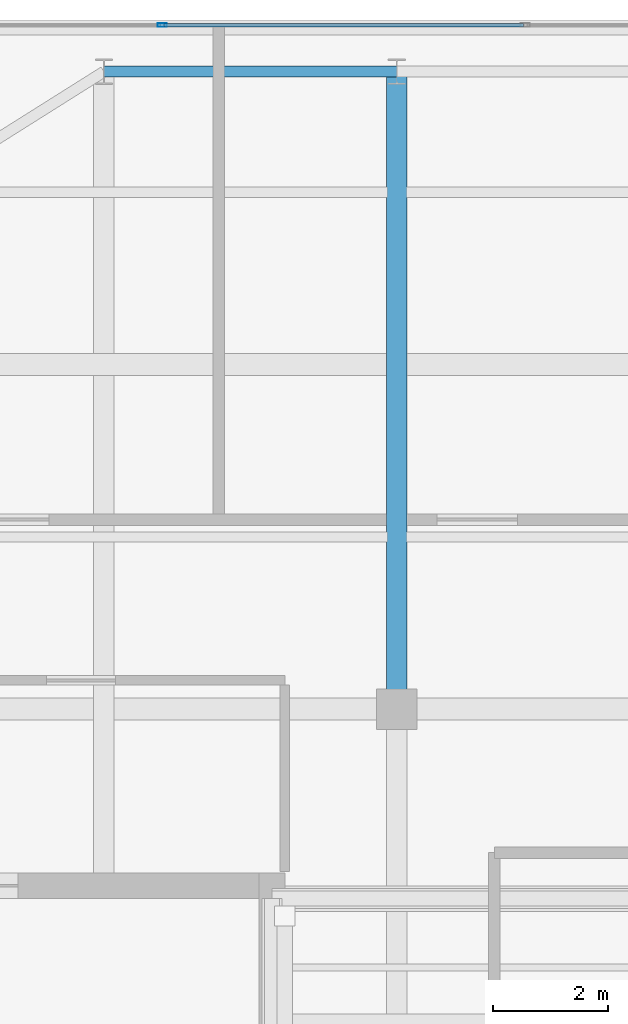
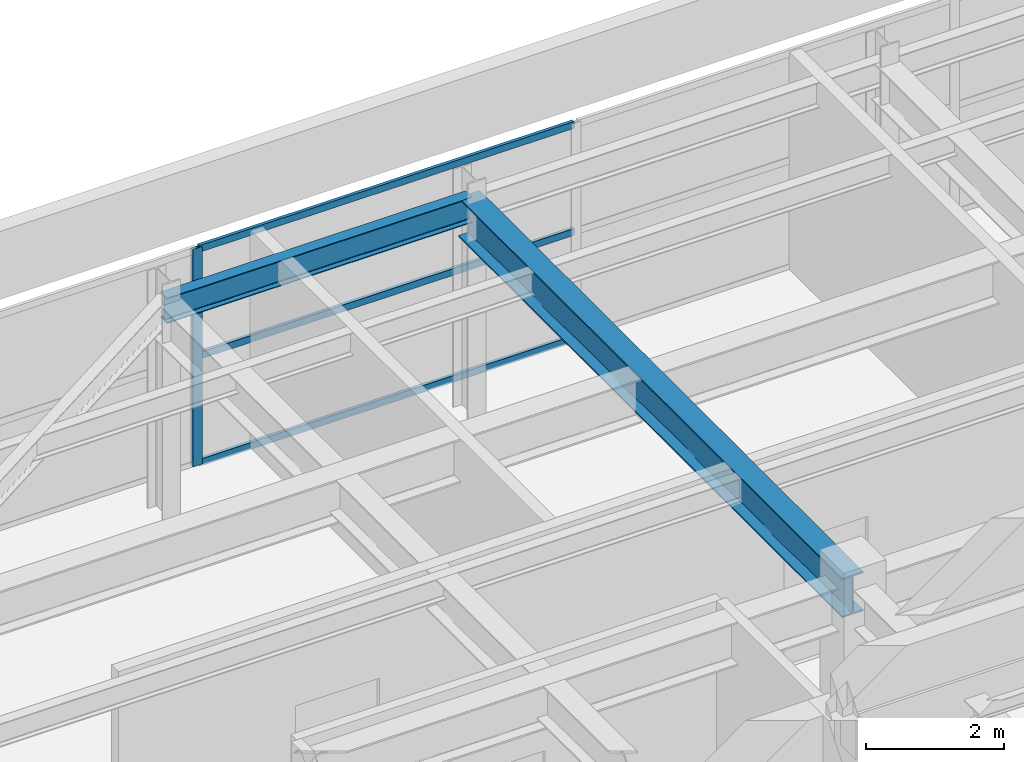
# One storey, part 23 of 33: 4 members, 2 beams, 1 element without a shape of its own.
"""IFC4 building model written with IfcOpenShell, lengths in metres."""

from ifc_helpers import new_model, si_unit, direction, frame, origin, origin_2d, place, context, subcontext, project, spatial, hollow_rectangle, i_section, extrude, source, transform, mapped, material, layer, layer_set, material_profile, profile_set, type_object, element, aggregate, save


model = new_model("IFC4")

# Units and contexts
model_context = context("Model", 3, precision=1e-05, world=origin(), true_north=direction((0.0, 1.0)))
body_context = subcontext(model_context, "Body", "Model", "MODEL_VIEW")
ifc_project = project(units=[si_unit("LENGTHUNIT", "METRE"), si_unit("AREAUNIT", "SQUARE_METRE"), si_unit("VOLUMEUNIT", "CUBIC_METRE"), si_unit("PLANEANGLEUNIT", "RADIAN"), si_unit("MASSUNIT", "GRAM", prefix="KILO")], contexts=[model_context])

# Site, building, storey
site_placement = place(None, origin())
site = spatial("IfcSite", under=ifc_project, at=site_placement, CompositionType="ELEMENT")
building_placement = place(site_placement, origin())
building = spatial("IfcBuilding", under=site, at=building_placement, Name="Khoralis Quay Care Tower", CompositionType="ELEMENT")
storey_placement = place(building_placement, frame((0.0, 0.0, 314.699951171875)))
storey = spatial("IfcBuildingStorey", under=building, at=storey_placement, Name="L82", CompositionType="ELEMENT", Elevation=314.699951171875)

# Beams
ifc_material_1 = material(Name="Steel S355", Category="steel")
ifc_material_profile_1 = material_profile(ifc_material_1, i_section(OverallWidth=0.18994140625, OverallDepth=0.449951171875, WebThickness=0.009521484375, FlangeThickness=0.0146484375, FilletRadius=0.02099609375, at=origin_2d()), Name="Steel S355")
ifc_profile_set_1 = profile_set([ifc_material_profile_1], Name="Steel S355")
beam_type_1 = type_object("IfcBeamType", Name="BM-IPE450", PredefinedType="SPANDREL", material=ifc_profile_set_1)
shared_shape_1 = source(origin(), body_context, "Body", "SweptSolid", [
    extrude(i_section(OverallWidth=0.18994140625, OverallDepth=0.449951171875, WebThickness=0.009521484375, FlangeThickness=0.0146484375, FilletRadius=0.02099609375, at=origin_2d()), origin(), (0.0, 0.0, 1.0), 5.10009765625),
])
beam_1_placement = place(storey_placement, frame((12.0, 41.10009765625, 3.614990234375), z_axis=(1.0, 0.0, 0.0), x_axis=(0.0, 1.0, 0.0)))
element("IfcBeam", 1, at=beam_1_placement, inside=storey, type_object=beam_type_1, Name="BM-TSP-L82-05", PredefinedType="SPANDREL", context=body_context, shape_type="MappedRepresentation", body=[
    mapped(shared_shape_1, transform((0.0, 0.0, 0.0), scale=1.0)),
])
ifc_material_profile_2 = material_profile(ifc_material_1, i_section(OverallWidth=0.35498046875, OverallDepth=0.695068359375, WebThickness=0.015380859375, FlangeThickness=0.02490234375, FilletRadius=0.02001953125, at=origin_2d()), Name="Steel S355")
ifc_profile_set_2 = profile_set([ifc_material_profile_2], Name="Steel S355")
beam_type_2 = type_object("IfcBeamType", Name="BM-W690X217", PredefinedType="BEAM", material=ifc_profile_set_2)
shared_shape_2 = source(origin(), body_context, "Body", "SweptSolid", [
    extrude(i_section(OverallWidth=0.35498046875, OverallDepth=0.695068359375, WebThickness=0.015380859375, FlangeThickness=0.02490234375, FilletRadius=0.02001953125, at=origin_2d()), origin(), (0.0, 0.0, 1.0), 11.10009765625),
])
beam_2_placement = place(storey_placement, frame((17.10009765625, 30.0, 3.492431640625), z_axis=(0.0, 1.0, 0.0), x_axis=(-1.0, 0.0, 0.0)))
element("IfcBeam", 2, at=beam_2_placement, inside=storey, type_object=beam_type_2, Name="BM-TGYN-L82-171", PredefinedType="BEAM", context=body_context, shape_type="MappedRepresentation", body=[
    mapped(shared_shape_2, transform((0.0, 0.0, 0.0), scale=1.0)),
])

# Curtain wall, members
ifc_material_2 = material(Name="Pale anodised aluminium", Category="aluminium")
ifc_layer = layer(ifc_material_2, 0.199951171875)
ifc_layer_set = layer_set([ifc_layer], Name="Pale anodised aluminium")
curtain_wall_type = type_object("IfcCurtainWallType", Name="CW-SYS-LANTERN", PredefinedType="NOTDEFINED", material=ifc_layer_set)
curtain_wall_placement = place(storey_placement, origin())
curtain_wall = element("IfcCurtainWall", 3, at=curtain_wall_placement, inside=storey, type_object=curtain_wall_type, Name="L82 Unitised Curtain Wall CW-LN-L82-11", PredefinedType="NOTDEFINED")
ifc_material_profile_3 = material_profile(ifc_material_2, hollow_rectangle(XDim=0.054931640625, YDim=0.1201171875, WallThickness=0.00390625, at=origin_2d()), Name="Pale anodised aluminium")
ifc_profile_set_3 = profile_set([ifc_material_profile_3], Name="Pale anodised aluminium")
member_type_1 = type_object("IfcMemberType", Name="CW-TRN-120", PredefinedType="USERDEFINED", material=ifc_profile_set_3)
shared_shape_3 = source(origin(), body_context, "Body", "SweptSolid", [
    extrude(hollow_rectangle(XDim=0.054931640625, YDim=0.1201171875, WallThickness=0.00390625, at=origin_2d()), origin(), (0.0, 0.0, 1.0), 6.26416015625),
])
member_1_placement = place(storey_placement, frame((19.30810546875, 41.909912109375, 0.030029296875), z_axis=(-1.0, 0.0, 0.0), x_axis=(0.0, -1.0, 0.0)))
member_1 = element("IfcMember", 4, at=member_1_placement, type_object=member_type_1, Name="CW5 transom 4.1", ObjectType="TRANSOM", PredefinedType="USERDEFINED", context=body_context, shape_type="MappedRepresentation", body=[
    mapped(shared_shape_3, transform((0.0, 0.0, 0.0), scale=1.0)),
])
member_2_placement = place(storey_placement, frame((19.30810546875, 41.909912109375, 1.920166015625), z_axis=(-1.0, 0.0, 0.0), x_axis=(0.0, -1.0, 0.0)))
member_2 = element("IfcMember", 5, at=member_2_placement, type_object=member_type_1, Name="CW5 transom 4.2", ObjectType="TRANSOM", PredefinedType="USERDEFINED", context=body_context, shape_type="MappedRepresentation", body=[
    mapped(shared_shape_3, transform((0.0, 0.0, 0.0), scale=1.0)),
])
member_3_placement = place(storey_placement, frame((19.30810546875, 41.909912109375, 3.81005859375), z_axis=(-1.0, 0.0, 0.0), x_axis=(0.0, -1.0, 0.0)))
member_3 = element("IfcMember", 6, at=member_3_placement, type_object=member_type_1, Name="CW5 transom 4.3", ObjectType="TRANSOM", PredefinedType="USERDEFINED", context=body_context, shape_type="MappedRepresentation", body=[
    mapped(shared_shape_3, transform((0.0, 0.0, 0.0), scale=1.0)),
])
ifc_material_profile_4 = material_profile(ifc_material_2, hollow_rectangle(XDim=0.06005859375, YDim=0.159912109375, WallThickness=0.00390625, at=origin_2d()), Name="Pale anodised aluminium")
ifc_profile_set_4 = profile_set([ifc_material_profile_4], Name="Pale anodised aluminium")
member_type_2 = type_object("IfcMemberType", Name="CW-MUL-160", PredefinedType="MULLION", material=ifc_profile_set_4)
shared_shape_4 = source(origin(), body_context, "Body", "SweptSolid", [
    extrude(hollow_rectangle(XDim=0.06005859375, YDim=0.159912109375, WallThickness=0.00390625, at=origin_2d()), origin(), (0.0, 0.0, 1.0), 3.840087890625),
])
member_4_placement = place(storey_placement, frame((13.013916015625, 41.909912109375, 0.0), z_axis=(0.0, 0.0, 1.0), x_axis=(0.0, -1.0, 0.0)))
member_4 = element("IfcMember", 7, at=member_4_placement, type_object=member_type_2, Name="CW5 mullion 5", PredefinedType="MULLION", context=body_context, shape_type="MappedRepresentation", body=[
    mapped(shared_shape_4, transform((0.0, 0.0, 0.0), scale=1.0)),
])
aggregate(curtain_wall, [member_4, member_1, member_2, member_3])

save(model, "model.ifc")
